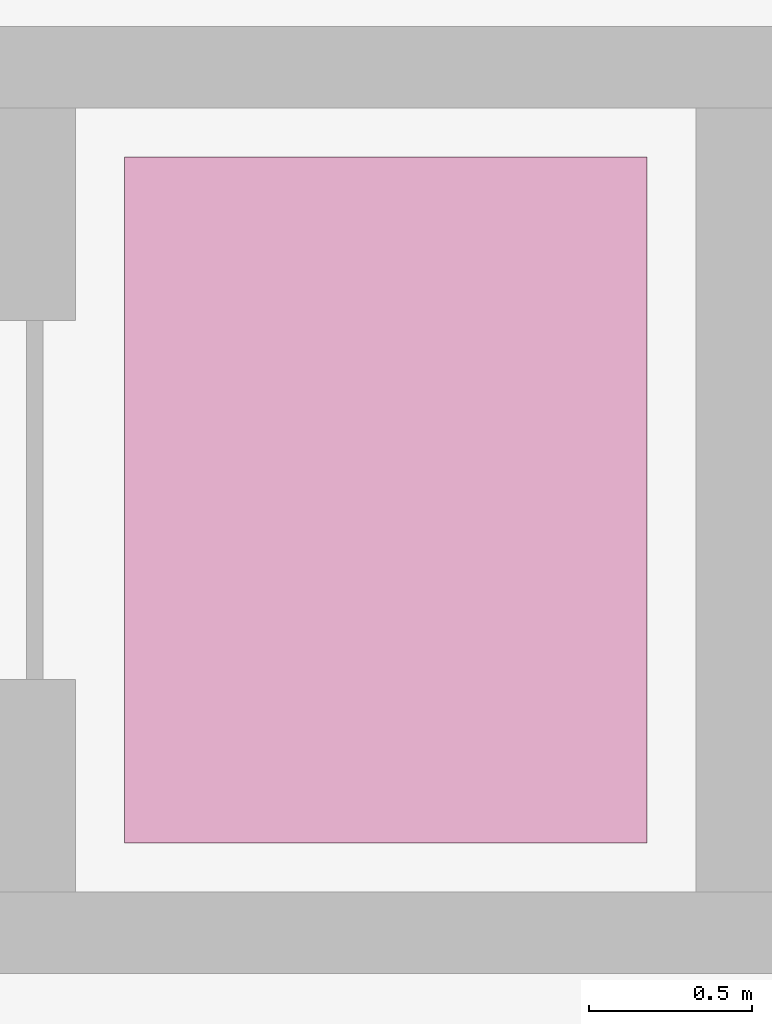
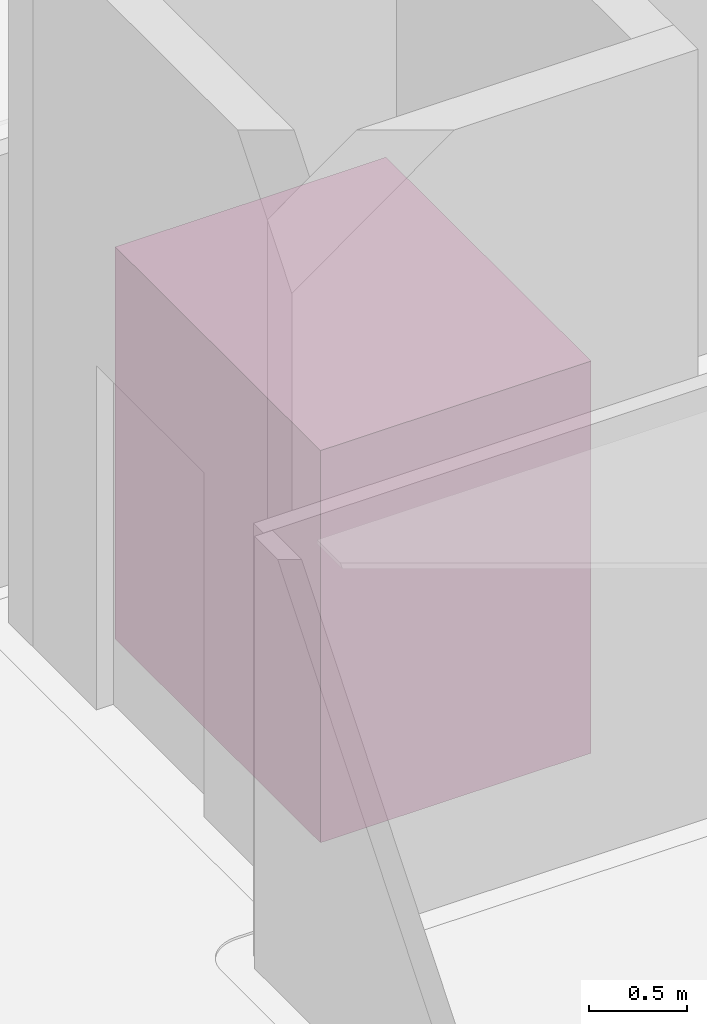
# One storey, part 125 of 125: 1 transport element.
"""IFC4 building model written with IfcOpenShell, lengths in metres."""

from ifc_helpers import new_model, si_unit, direction, frame, origin, origin_2d, place, context, subcontext, project, spatial, rectangle, extrude, material, type_object, element, save


model = new_model("IFC4")

# Units and contexts
model_context = context("Model", 3, precision=1e-05, world=origin(), true_north=direction((0.0, 1.0)))
body_context = subcontext(model_context, "Body", "Model", "MODEL_VIEW")
ifc_project = project(units=[si_unit("LENGTHUNIT", "METRE"), si_unit("AREAUNIT", "SQUARE_METRE"), si_unit("VOLUMEUNIT", "CUBIC_METRE"), si_unit("PLANEANGLEUNIT", "RADIAN"), si_unit("MASSUNIT", "GRAM", prefix="KILO")], contexts=[model_context])

# Site, building, storey
site_placement = place(None, origin())
site = spatial("IfcSite", under=ifc_project, at=site_placement, CompositionType="ELEMENT")
building_placement = place(site_placement, origin())
building = spatial("IfcBuilding", under=site, at=building_placement, Name="Serraforn Aerial Cableway Station", CompositionType="ELEMENT")
storey_placement = place(building_placement, frame((0.0, 0.0, 4.5)))
storey = spatial("IfcBuildingStorey", under=building, at=storey_placement, Name="L01", CompositionType="ELEMENT", Elevation=4.5)

# Transport element
ifc_material = material(Name="Brushed bronze and stainless-steel lift cabin", Category="steel")
transport_element_type = type_object("IfcTransportElementType", Name="LFT-PASS-1600", PredefinedType="ELEVATOR", material=ifc_material)
transport_element_placement = place(storey_placement, frame((162.199951171875, 58.39990234375, 0.0), z_axis=(0.0, 0.0, 1.0), x_axis=(1.0, 0.0, 0.0)))
element("IfcTransportElement", 1, at=transport_element_placement, inside=storey, type_object=transport_element_type, Name="Fleet Hangar Accessible Lift 6", PredefinedType="ELEVATOR", context=body_context, shape_type="SweptSolid", body=[
    extrude(rectangle(XDim=1.60009765625, YDim=2.10009765625, at=origin_2d()), origin(), (0.0, 0.0, 1.0), 2.449951171875),
])

save(model, "model.ifc")
